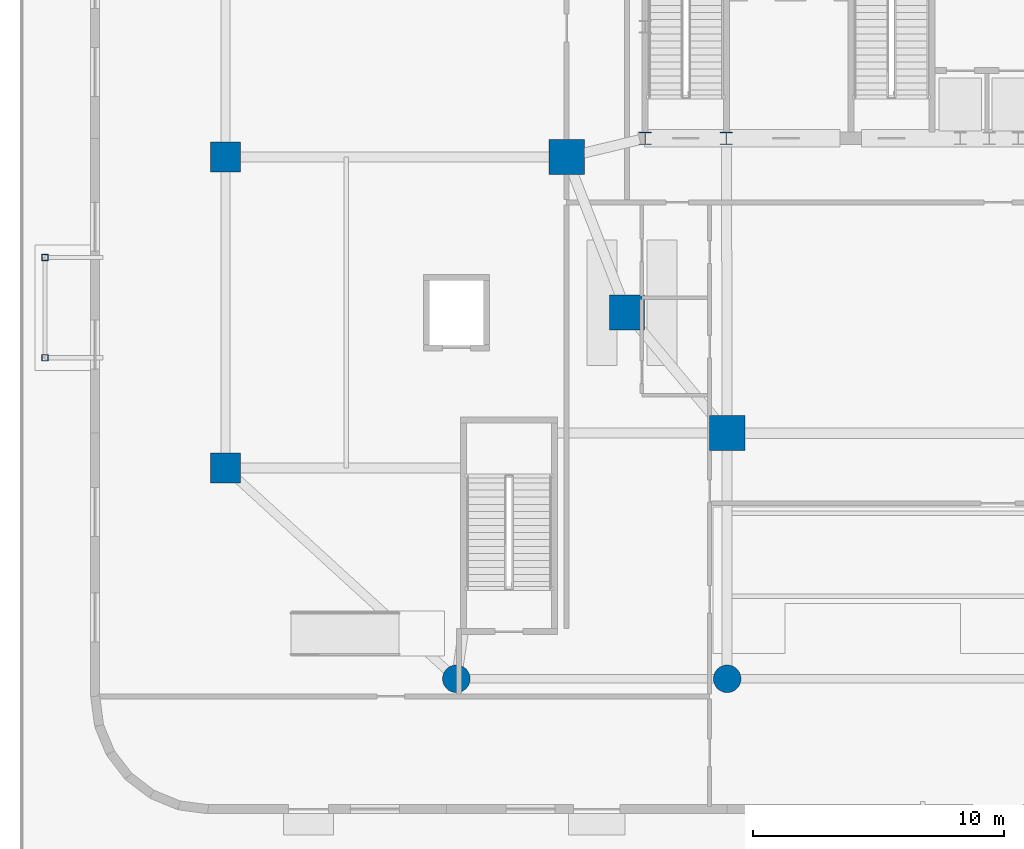
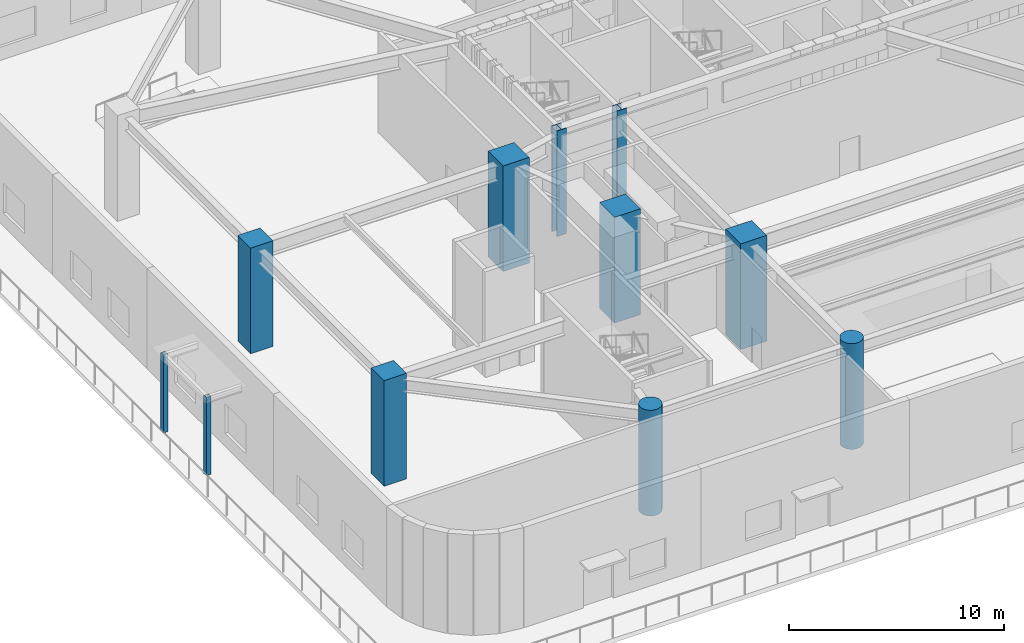
# One storey, part 1 of 21: 11 columns.
"""IFC4 building model written with IfcOpenShell, lengths in metres."""

from ifc_helpers import new_model, si_unit, direction, frame, origin, origin_2d, place, context, subcontext, project, spatial, rectangle, hollow_rectangle, circle, i_section, extrude, material, material_profile, profile_set, type_object, element, save


model = new_model("IFC4")

# Units and contexts
model_context = context("Model", 3, precision=1e-05, world=origin(), true_north=direction((0.0, 1.0)))
body_context = subcontext(model_context, "Body", "Model", "MODEL_VIEW")
ifc_project = project(units=[si_unit("LENGTHUNIT", "METRE"), si_unit("AREAUNIT", "SQUARE_METRE"), si_unit("VOLUMEUNIT", "CUBIC_METRE"), si_unit("PLANEANGLEUNIT", "RADIAN"), si_unit("MASSUNIT", "GRAM", prefix="KILO")], contexts=[model_context])

# Site, building, storey
site_placement = place(None, origin())
site = spatial("IfcSite", under=ifc_project, at=site_placement, CompositionType="ELEMENT")
building_placement = place(site_placement, origin())
building = spatial("IfcBuilding", under=site, at=building_placement, Name="Haldorwick Loom Tower", CompositionType="ELEMENT")
storey_placement = place(building_placement, origin())
storey = spatial("IfcBuildingStorey", under=building, at=storey_placement, Name="L00", CompositionType="ELEMENT", Elevation=0.0)

# Columns
ifc_material_1 = material(Name="Steel CSA G40.21 350W", Category="steel")
ifc_material_profile_1 = material_profile(ifc_material_1, hollow_rectangle(XDim=0.25390625, YDim=0.25390625, WallThickness=0.0126953125, at=origin_2d()), Name="HSS254X254X13", Category="steel")
ifc_profile_set_1 = profile_set([ifc_material_profile_1], Name="Steel CSA G40.21 350W")
column_type_1 = type_object("IfcColumnType", Name="STR-COL-CN254", PredefinedType="COLUMN", material=ifc_profile_set_1)
for number, where, z_axis, x_axis, name in (
    (1, (-2.0, 18.0, 0.0), (0.0, 0.0, 1.0), (1.0, 0.0, 0.0), "L00 Entrance Canopy Column CN-W1-1"),
    (2, (-2.0, 22.0, 0.0), (0.0, 0.0, 1.0), (1.0, 0.0, 0.0), "L00 Entrance Canopy Column CN-W1-2"),
):
    element("IfcColumn", number, at=place(storey_placement, frame(where, z_axis=z_axis, x_axis=x_axis)), inside=storey, type_object=column_type_1, Name=name, PredefinedType="COLUMN", context=body_context, shape_type="SweptSolid", body=[
        extrude(hollow_rectangle(XDim=0.25390625, YDim=0.25390625, WallThickness=0.0126953125, at=origin_2d()), origin(), (0.0, 0.0, 1.0), 4.419921875),
    ])
ifc_material_2 = material(Name="Concrete C60 (60 MPa)", Category="concrete")
ifc_material_profile_2 = material_profile(ifc_material_2, rectangle(XDim=1.39990234375, YDim=1.39990234375, at=origin_2d()), Name="RC1400X1400", Category="concrete")
ifc_profile_set_2 = profile_set([ifc_material_profile_2], Name="Concrete C60 (60 MPa)")
column_type_2 = type_object("IfcColumnType", Name="STR-COL-MEGA1400", PredefinedType="COLUMN", material=ifc_profile_set_2)
for number, where, z_axis, x_axis, name in (
    (3, (21.199951171875, 19.800048828125, 0.0), (0.0, 0.0, 1.0), (1.0, 0.0, 0.0), "L00 Inner Column IC-07"),
    (4, (18.800048828125, 26.0, 0.0), (0.0, 0.0, 1.0), (1.0, 0.0, 0.0), "L00 Inner Column IC-08"),
    (5, (25.199951171875, 15.0, 0.0), (0.0, 0.0, 1.0), (1.0, 0.0, 0.0), "L00 Podium Column PC-TW"),
):
    element("IfcColumn", number, at=place(storey_placement, frame(where, z_axis=z_axis, x_axis=x_axis)), inside=storey, type_object=column_type_2, Name=name, PredefinedType="COLUMN", context=body_context, shape_type="SweptSolid", body=[
        extrude(rectangle(XDim=1.39990234375, YDim=1.39990234375, at=origin_2d()), origin(), (0.0, 0.0, 1.0), 6.0),
    ])
ifc_material_profile_3 = material_profile(ifc_material_2, rectangle(XDim=1.199951171875, YDim=1.199951171875, at=origin_2d()), Name="RC1200X1200", Category="concrete")
ifc_profile_set_3 = profile_set([ifc_material_profile_3], Name="Concrete C60 (60 MPa)")
column_type_3 = type_object("IfcColumnType", Name="STR-COL-RC1200", PredefinedType="COLUMN", material=ifc_profile_set_3)
for number, where, z_axis, x_axis, name in (
    (6, (5.199951171875, 13.60009765625, 0.0), (0.0, 0.0, 1.0), (1.0, 0.0, 0.0), "L00 Podium Column PC-W1"),
    (7, (5.199951171875, 26.0, 0.0), (0.0, 0.0, 1.0), (1.0, 0.0, 0.0), "L00 Podium Column PC-W2"),
):
    element("IfcColumn", number, at=place(storey_placement, frame(where, z_axis=z_axis, x_axis=x_axis)), inside=storey, type_object=column_type_3, Name=name, PredefinedType="COLUMN", context=body_context, shape_type="SweptSolid", body=[
        extrude(rectangle(XDim=1.199951171875, YDim=1.199951171875, at=origin_2d()), origin(), (0.0, 0.0, 1.0), 6.0),
    ])
ifc_material_profile_4 = material_profile(ifc_material_2, circle(Radius=0.550048828125, at=origin_2d()), Name="RCD1100", Category="concrete")
ifc_profile_set_4 = profile_set([ifc_material_profile_4], Name="Concrete C60 (60 MPa)")
column_type_4 = type_object("IfcColumnType", Name="STR-COL-RCD1100", PredefinedType="COLUMN", material=ifc_profile_set_4)
for number, where, z_axis, x_axis, name in (
    (8, (14.39990234375, 5.199951171875, 0.0), (0.0, 0.0, 1.0), (1.0, 0.0, 0.0), "L00 Podium Column PC-S1"),
    (9, (25.199951171875, 5.199951171875, 0.0), (0.0, 0.0, 1.0), (1.0, 0.0, 0.0), "L00 Podium Column PC-S2"),
):
    element("IfcColumn", number, at=place(storey_placement, frame(where, z_axis=z_axis, x_axis=x_axis)), inside=storey, type_object=column_type_4, Name=name, PredefinedType="COLUMN", context=body_context, shape_type="SweptSolid", body=[
        extrude(circle(Radius=0.550048828125, at=origin_2d()), origin(), (0.0, 0.0, 1.0), 6.0),
    ])
ifc_material_3 = material(Name="Steel CSA G40.21 350WT", Category="steel")
ifc_material_profile_5 = material_profile(ifc_material_3, i_section(OverallWidth=0.5, OverallDepth=0.5, WebThickness=0.02197265625, FlangeThickness=0.031982421875, at=origin_2d()), Name="WWF500X500", Category="steel")
ifc_profile_set_5 = profile_set([ifc_material_profile_5], Name="Steel CSA G40.21 350WT")
column_type_5 = type_object("IfcColumnType", Name="STR-COL-WWF500", PredefinedType="COLUMN", material=ifc_profile_set_5)
for number, where, z_axis, x_axis, name in (
    (10, (21.929931640625, 26.75, 0.0), (0.0, 0.0, 1.0), (1.0, 0.0, 0.0), "L00 Core Pilaster CB-19"),
    (11, (25.169921875, 26.75, 0.0), (0.0, 0.0, 1.0), (1.0, 0.0, 0.0), "L00 Core Pilaster CB-20"),
):
    element("IfcColumn", number, at=place(storey_placement, frame(where, z_axis=z_axis, x_axis=x_axis)), inside=storey, type_object=column_type_5, Name=name, PredefinedType="COLUMN", context=body_context, shape_type="SweptSolid", body=[
        extrude(i_section(OverallWidth=0.5, OverallDepth=0.5, WebThickness=0.02197265625, FlangeThickness=0.031982421875, at=origin_2d()), origin(), (0.0, 0.0, 1.0), 6.0),
    ])

save(model, "model.ifc")
